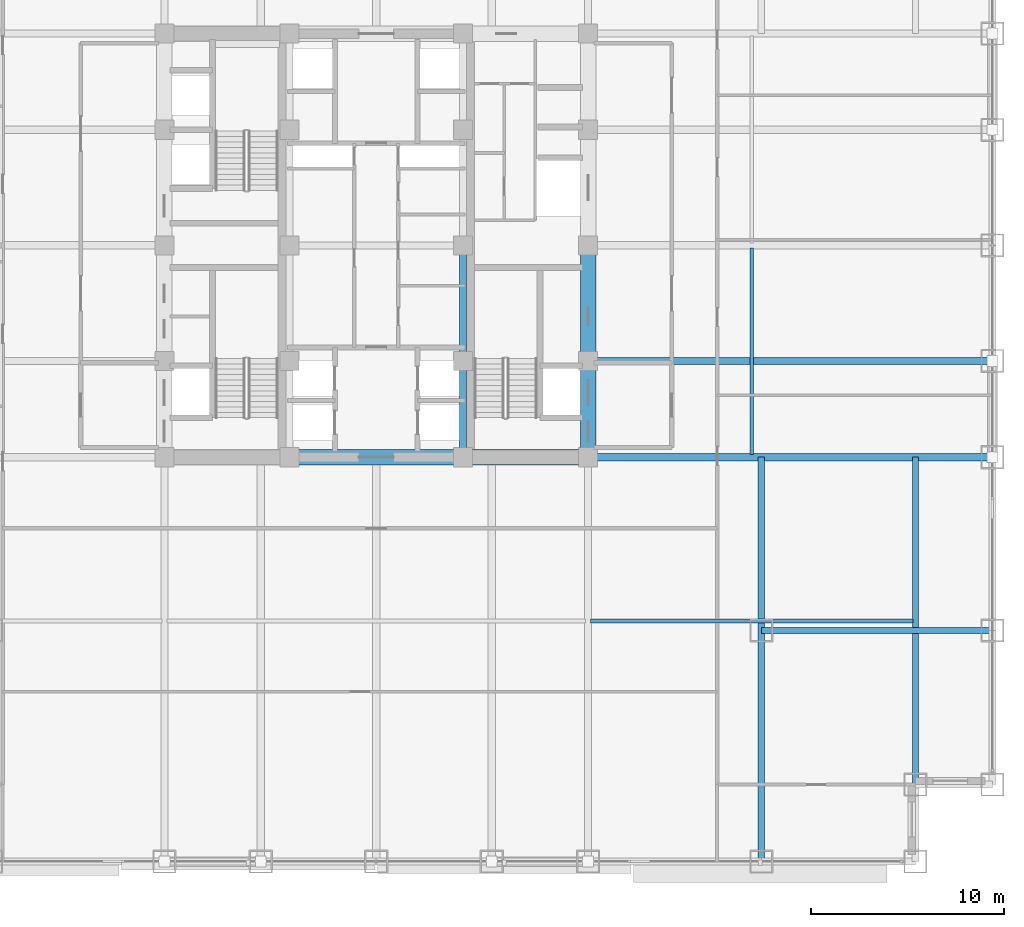
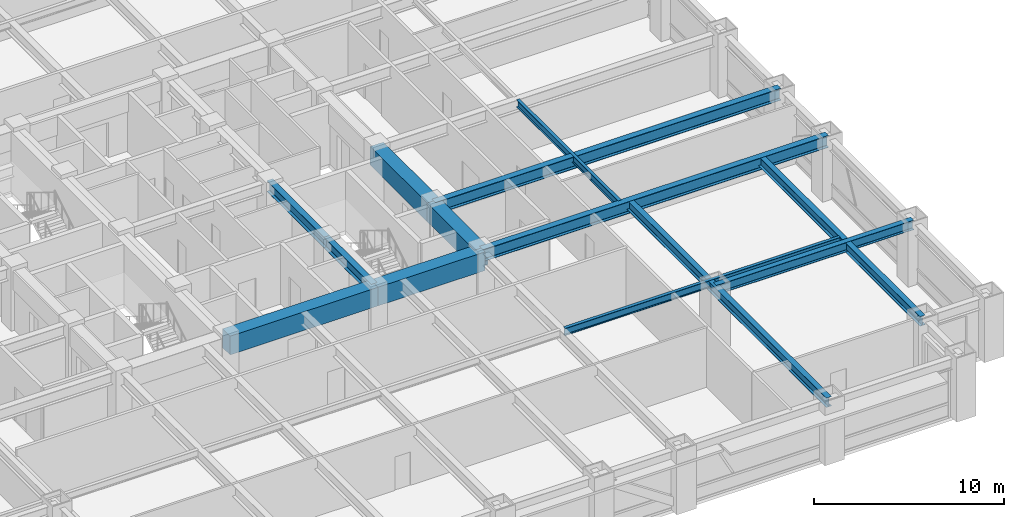
# One storey, part 7 of 32: 13 beams.
"""IFC4 building model written with IfcOpenShell, lengths in metres."""

import ifcopenshell
import ifcopenshell.guid

model = None  # the IFC model being written
_history = None  # IfcOwnerHistory: only IFC2X3 demands one
_inside = {}  # id of a spatial element -> (the spatial element, [elements in it])
_under = {}  # id of a project, library or spatial element -> (it, [spatial elements below it])
_declared = {}  # id of a project -> (the project, [libraries it declares])
_typed = {}  # id of a type object -> (the type object, [elements of that type])
_made_of = {}  # id of a material, layer set ... -> (it, [elements and type objects made of it])


def new_model(schema):
    """Start an empty IFC model of exactly this schema.

    Asked for "IFC4X3", IfcOpenShell would pick the latest addendum, in which some entities
    have other attributes; the version numbers below select the first issue.
    IFC2X3 requires an IfcOwnerHistory on every rooted entity: one is made here for all.
    """
    global model, _history
    if schema == "IFC4X3":
        model = ifcopenshell.file(schema_version=(4, 3, 0, 0))
    else:
        model = ifcopenshell.file(schema=schema)
    _inside.clear()
    _under.clear()
    _declared.clear()
    _typed.clear()
    _made_of.clear()
    _history = None
    if model.schema == "IFC2X3":
        org = make("IfcOrganization", Name="unknown")
        user = make(
            "IfcPersonAndOrganization",
            ThePerson=make("IfcPerson", FamilyName="unknown"),
            TheOrganization=org,
        )
        app = make(
            "IfcApplication",
            ApplicationDeveloper=org,
            Version="unknown",
            ApplicationFullName="unknown",
            ApplicationIdentifier="unknown",
        )
        _history = make(
            "IfcOwnerHistory",
            OwningUser=user,
            OwningApplication=app,
            ChangeAction="ADDED",
            CreationDate=0,
        )
    return model


def make(cls, **values):
    """One entity of the class cls with the attributes given. An attribute that is None is left unset."""
    return model.create_entity(
        cls, **{name: value for name, value in values.items() if value is not None}
    )


def rooted(cls, **values):
    """An entity with a GlobalId (a new one), such as an element, a storey or a relation."""
    return make(cls, GlobalId=ifcopenshell.guid.new(), OwnerHistory=_history, **values)


def si_unit(unit_type, name, prefix=None):
    """IfcSIUnit, for example si_unit("LENGTHUNIT", "METRE", prefix="MILLI")."""
    return make("IfcSIUnit", UnitType=unit_type, Prefix=prefix, Name=name)


def assignment(units):
    """IfcUnitAssignment: the units of a project."""
    return None if units is None else make("IfcUnitAssignment", Units=units)


def point(xyz):
    """IfcCartesianPoint."""
    return None if xyz is None else make("IfcCartesianPoint", Coordinates=xyz)


def direction(xyz):
    """IfcDirection."""
    return None if xyz is None else make("IfcDirection", DirectionRatios=xyz)


def frame(location, z_axis=None, x_axis=None):
    """IfcAxis2Placement3D, a coordinate frame: its origin and axes. An axis left out is left unset."""
    return make(
        "IfcAxis2Placement3D",
        Location=point(location),
        Axis=direction(z_axis),
        RefDirection=direction(x_axis),
    )


def frame_2d(location, x_axis=None):
    """IfcAxis2Placement2D, a coordinate frame in the plane: its origin and x axis."""
    return make(
        "IfcAxis2Placement2D", Location=point(location), RefDirection=direction(x_axis)
    )


def origin():
    """The frame at (0, 0, 0) with its axes left unset."""
    return frame((0.0, 0.0, 0.0))


def origin_2d():
    """The frame at (0, 0) in the plane with its x axis left unset."""
    return frame_2d((0.0, 0.0))


def place(relative_to, where):
    """IfcLocalPlacement: puts the frame where relative to a parent placement (None: the world)."""
    return make(
        "IfcLocalPlacement", PlacementRelTo=relative_to, RelativePlacement=where
    )


def context(
    kind, dimensions, precision=None, world=None, true_north=None, identifier=None
):
    """IfcGeometricRepresentationContext, for example the 3D "Model" context."""
    return make(
        "IfcGeometricRepresentationContext",
        ContextIdentifier=identifier,
        ContextType=kind,
        CoordinateSpaceDimension=dimensions,
        Precision=precision,
        WorldCoordinateSystem=world,
        TrueNorth=true_north,
    )


def subcontext(parent, identifier, kind, view, scale=None):
    """IfcGeometricRepresentationSubContext, for example "Body" below "Model"."""
    return make(
        "IfcGeometricRepresentationSubContext",
        ContextIdentifier=identifier,
        ContextType=kind,
        ParentContext=parent,
        TargetScale=scale,
        TargetView=view,
    )


def project(units=None, contexts=None):
    """IfcProject with its units and contexts."""
    return rooted(
        "IfcProject",
        Name="project",
        RepresentationContexts=contexts,
        UnitsInContext=assignment(units),
    )


def spatial(cls, under=None, at=None, **own):
    """A site, building, storey or space (cls), placed at a placement, below another one or the project."""
    s = rooted(cls, ObjectPlacement=at, **own)
    if under is not None:
        _under.setdefault(under.id(), (under, []))[1].append(s)
    return s


def profile(cls, at=None, kind="AREA", **sizes):
    """A parametric profile (cls). Its sizes go by their IFC names, for example OverallWidth=200.0."""
    return make(cls, ProfileType=kind, Position=at, **sizes)


def rectangle(**sizes):
    """IfcRectangleProfileDef."""
    return profile("IfcRectangleProfileDef", **sizes)


def i_section(**sizes):
    """IfcIShapeProfileDef."""
    return profile("IfcIShapeProfileDef", **sizes)


def extrude(swept, where, along, depth):
    """IfcExtrudedAreaSolid: the profile swept, set in the frame where, extruded along a direction by depth."""
    return make(
        "IfcExtrudedAreaSolid",
        SweptArea=swept,
        Position=where,
        ExtrudedDirection=direction(along),
        Depth=depth,
    )


def shape(context_of_items, identifier, shape_type, items):
    """IfcShapeRepresentation: the items that make up one representation, for example the "Body"."""
    return make(
        "IfcShapeRepresentation",
        ContextOfItems=context_of_items,
        RepresentationIdentifier=identifier,
        RepresentationType=shape_type,
        Items=items,
    )


def source(mapping_origin, context_of_items, identifier, shape_type, items):
    """IfcRepresentationMap: a shape defined once, which mapped items show again and again."""
    return make(
        "IfcRepresentationMap",
        MappingOrigin=mapping_origin,
        MappedRepresentation=shape(context_of_items, identifier, shape_type, items),
    )


def transform(
    local_origin,
    x_axis=None,
    y_axis=None,
    z_axis=None,
    scale=None,
    scale2=None,
    scale3=None,
    uniform=True,
):
    """IfcCartesianTransformationOperator3D, or its non-uniform kind. x_axis, y_axis, z_axis: its Axis1, 2, 3."""
    if uniform:
        return make(
            "IfcCartesianTransformationOperator3D",
            Axis1=direction(x_axis),
            Axis2=direction(y_axis),
            LocalOrigin=point(local_origin),
            Scale=scale,
            Axis3=direction(z_axis),
        )
    return make(
        "IfcCartesianTransformationOperator3DnonUniform",
        Axis1=direction(x_axis),
        Axis2=direction(y_axis),
        LocalOrigin=point(local_origin),
        Scale=scale,
        Axis3=direction(z_axis),
        Scale2=scale2,
        Scale3=scale3,
    )


def mapped(mapping_source, mapping_target):
    """IfcMappedItem: shows the shape of a source again, moved by a transform."""
    return make(
        "IfcMappedItem", MappingSource=mapping_source, MappingTarget=mapping_target
    )


def material(Name=None, Category=None):
    """IfcMaterial."""
    return make("IfcMaterial", Name=Name, Category=Category)


def material_profile(
    of_material, cross_section, Name=None, Category=None, Priority=None
):
    """IfcMaterialProfile: a cross section and its material."""
    return make(
        "IfcMaterialProfile",
        Name=Name,
        Material=of_material,
        Profile=cross_section,
        Priority=Priority,
        Category=Category,
    )


def profile_set(profiles, Name=None, composite=None):
    """IfcMaterialProfileSet."""
    return make(
        "IfcMaterialProfileSet",
        Name=Name,
        MaterialProfiles=profiles,
        CompositeProfile=composite,
    )


def made_of(thing, what):
    """Note that an element or type object is made of a material, layer set ...; save() writes the relation."""
    if what is not None:
        _made_of.setdefault(what.id(), (what, []))[1].append(thing)
    return thing


def type_object(cls, material=None, **own):
    """A type object (cls), such as IfcWallType, which elements share."""
    return made_of(rooted(cls, **own), material)


def element(
    cls,
    number,
    at=None,
    inside=None,
    cuts=None,
    type_object=None,
    material=None,
    context=None,
    identifier="Body",
    shape_type=None,
    held_by="IfcProductDefinitionShape",
    body=None,
    shapes=None,
    **own,
):
    """One element of the class cls, such as IfcWall. Its Tag is "e" and its number.

    at: its placement. inside: the storey or other place that contains it. cuts: it is an
    opening in that element (IfcRelVoidsElement). A single representation is given by context,
    identifier, shape_type and body (its items); several are given by shapes. held_by: the class
    of the entity that holds the representations. save() writes the other relations.
    """
    e = rooted(cls, Tag="e%d" % number, ObjectPlacement=at, **own)
    if body is not None:
        shapes = [shape(context, identifier, shape_type, body)]
    if shapes is not None:
        e.Representation = make(held_by, Representations=shapes)
    if inside is not None:
        _inside.setdefault(inside.id(), (inside, []))[1].append(e)
    if cuts is not None:
        rooted(
            "IfcRelVoidsElement", RelatingBuildingElement=cuts, RelatedOpeningElement=e
        )
    if type_object is not None:
        _typed.setdefault(type_object.id(), (type_object, []))[1].append(e)
    return made_of(e, material)


def aggregate(whole, parts):
    """IfcRelAggregates: a whole, such as a stair, and the parts it consists of."""
    return rooted("IfcRelAggregates", RelatingObject=whole, RelatedObjects=parts)


def save(model, path):
    """Write the relations noted so far, then the file.

    IfcRelAggregates (storeys below a building ...), IfcRelContainedInSpatialStructure (elements
    in a storey), IfcRelDefinesByType, IfcRelAssociatesMaterial and IfcRelDeclares: one each for
    every whole, place, type object, material and project.
    """
    for whole, parts in _under.values():
        aggregate(whole, parts)
    for where, things in _inside.values():
        rooted(
            "IfcRelContainedInSpatialStructure",
            RelatedElements=things,
            RelatingStructure=where,
        )
    for kind, things in _typed.values():
        rooted("IfcRelDefinesByType", RelatedObjects=things, RelatingType=kind)
    for what, things in _made_of.values():
        rooted("IfcRelAssociatesMaterial", RelatedObjects=things, RelatingMaterial=what)
    for by, libraries in _declared.values():
        rooted("IfcRelDeclares", RelatingContext=by, RelatedDefinitions=libraries)
    model.write(path)


model = new_model("IFC4")

# Units and contexts
model_context = context("Model", 3, precision=1e-05, world=origin(), true_north=direction((0.0, 1.0)))
body_context = subcontext(model_context, "Body", "Model", "MODEL_VIEW")
ifc_project = project(units=[si_unit("LENGTHUNIT", "METRE"), si_unit("AREAUNIT", "SQUARE_METRE"), si_unit("VOLUMEUNIT", "CUBIC_METRE"), si_unit("PLANEANGLEUNIT", "RADIAN"), si_unit("MASSUNIT", "GRAM", prefix="KILO")], contexts=[model_context])

# Site, building, storey
site_placement = place(None, origin())
site = spatial("IfcSite", under=ifc_project, at=site_placement, CompositionType="ELEMENT")
building_placement = place(site_placement, origin())
building = spatial("IfcBuilding", under=site, at=building_placement, Name="Khorayat Bourse Tower", CompositionType="ELEMENT")
storey_placement = place(building_placement, frame((0.0, 0.0, 91.39990234375)))
storey = spatial("IfcBuildingStorey", under=building, at=storey_placement, Name="L20", CompositionType="ELEMENT", Elevation=91.39990234375)

# Beams
ifc_material_1 = material(Name="Concrete C72/90", Category="concrete")
ifc_material_profile_1 = material_profile(ifc_material_1, rectangle(XDim=0.800048828125, YDim=1.199951171875, at=origin_2d()), Name="RC 800x1200")
ifc_profile_set_1 = profile_set([ifc_material_profile_1], Name="Concrete C72/90")
beam_type_1 = type_object("IfcBeamType", Name="BM-COUP-1200", PredefinedType="BEAM", material=ifc_profile_set_1)
shared_shape_1 = source(origin(), body_context, "Body", "SweptSolid", [
    extrude(rectangle(XDim=0.800048828125, YDim=1.199951171875, at=origin_2d()), origin(), (0.0, 0.0, 1.0), 5.0),
])
beam_1_placement = place(storey_placement, frame((11.0, -11.0, 3.239990234375), z_axis=(0.0, 1.0, 0.0), x_axis=(-1.0, 0.0, 0.0)))
element("IfcBeam", 1, at=beam_1_placement, inside=storey, type_object=beam_type_1, Name="L20 BM-COUP-1200 BM-L20-CRX-13", PredefinedType="BEAM", context=body_context, shape_type="MappedRepresentation", body=[
    mapped(shared_shape_1, transform((0.0, 0.0, 0.0), scale=1.0)),
])
shared_shape_2 = source(origin(), body_context, "Body", "SweptSolid", [
    extrude(rectangle(XDim=0.800048828125, YDim=1.199951171875, at=origin_2d()), origin(), (0.0, 0.0, 1.0), 6.0),
])
beam_2_placement = place(storey_placement, frame((11.0, -6.0, 3.239990234375), z_axis=(0.0, 1.0, 0.0), x_axis=(-1.0, 0.0, 0.0)))
element("IfcBeam", 2, at=beam_2_placement, inside=storey, type_object=beam_type_1, Name="L20 BM-COUP-1200 BM-L20-CRX-14", PredefinedType="BEAM", context=body_context, shape_type="MappedRepresentation", body=[
    mapped(shared_shape_2, transform((0.0, 0.0, 0.0), scale=1.0)),
])
ifc_material_2 = material(Name="Steel ASTM A992 Grade 50", Category="steel")
ifc_material_profile_2 = material_profile(ifc_material_2, i_section(OverallWidth=0.35498046875, OverallDepth=0.695068359375, WebThickness=0.015380859375, FlangeThickness=0.02490234375, FilletRadius=0.01806640625, at=origin_2d()), Name="W690X217")
ifc_profile_set_2 = profile_set([ifc_material_profile_2], Name="Steel ASTM A992 Grade 50")
beam_type_2 = type_object("IfcBeamType", Name="BM-GIRD-690", PredefinedType="BEAM", material=ifc_profile_set_2)
shared_shape_3 = source(origin(), body_context, "Body", "SweptSolid", [
    extrude(i_section(OverallWidth=0.35498046875, OverallDepth=0.695068359375, WebThickness=0.015380859375, FlangeThickness=0.02490234375, FilletRadius=0.01806640625, at=origin_2d()), origin(), (0.0, 0.0, 1.0), 5.0),
])
beam_3_placement = place(storey_placement, frame((4.5, -11.0, 3.49267578125), z_axis=(0.0, 1.0, 0.0), x_axis=(-1.0, 0.0, 0.0)))
element("IfcBeam", 3, at=beam_3_placement, inside=storey, type_object=beam_type_2, Name="L20 BM-GIRD-690 BM-L20-CRX-09", PredefinedType="BEAM", context=body_context, shape_type="MappedRepresentation", body=[
    mapped(shared_shape_3, transform((0.0, 0.0, 0.0), scale=1.0)),
])
shared_shape_4 = source(origin(), body_context, "Body", "SweptSolid", [
    extrude(i_section(OverallWidth=0.35498046875, OverallDepth=0.695068359375, WebThickness=0.015380859375, FlangeThickness=0.02490234375, FilletRadius=0.01806640625, at=origin_2d()), origin(), (0.0, 0.0, 1.0), 6.0),
])
beam_4_placement = place(storey_placement, frame((4.5, -6.0, 3.49267578125), z_axis=(0.0, 1.0, 0.0), x_axis=(-1.0, 0.0, 0.0)))
element("IfcBeam", 4, at=beam_4_placement, inside=storey, type_object=beam_type_2, Name="L20 BM-GIRD-690 BM-L20-CRX-10", PredefinedType="BEAM", context=body_context, shape_type="MappedRepresentation", body=[
    mapped(shared_shape_4, transform((0.0, 0.0, 0.0), scale=1.0)),
])
shared_shape_5 = source(origin(), body_context, "Body", "SweptSolid", [
    extrude(rectangle(XDim=0.800048828125, YDim=1.199951171875, at=origin_2d()), origin(), (0.0, 0.0, 1.0), 6.5),
])
beam_5_placement = place(storey_placement, frame((4.5, -11.0, 3.239990234375), z_axis=(1.0, 0.0, 0.0), x_axis=(0.0, 1.0, 0.0)))
element("IfcBeam", 5, at=beam_5_placement, inside=storey, type_object=beam_type_1, Name="L20 BM-COUP-1200 BM-L20-CRY-19", PredefinedType="BEAM", context=body_context, shape_type="MappedRepresentation", body=[
    mapped(shared_shape_5, transform((0.0, 0.0, 0.0), scale=1.0)),
])
shared_shape_6 = source(origin(), body_context, "Body", "SweptSolid", [
    extrude(rectangle(XDim=0.800048828125, YDim=1.199951171875, at=origin_2d()), origin(), (0.0, 0.0, 1.0), 9.0),
])
beam_6_placement = place(storey_placement, frame((-4.5, -11.0, 3.239990234375), z_axis=(1.0, 0.0, 0.0), x_axis=(0.0, 1.0, 0.0)))
element("IfcBeam", 6, at=beam_6_placement, inside=storey, type_object=beam_type_1, Name="L20 BM-COUP-1200 BM-L20-CRY-18", PredefinedType="BEAM", context=body_context, shape_type="MappedRepresentation", body=[
    mapped(shared_shape_6, transform((0.0, 0.0, 0.0), scale=1.0)),
])
ifc_material_profile_3 = material_profile(ifc_material_2, i_section(OverallWidth=0.324951171875, OverallDepth=0.615966796875, WebThickness=0.013916015625, FlangeThickness=0.021484375, FilletRadius=0.01611328125, at=origin_2d()), Name="W610X174")
ifc_profile_set_3 = profile_set([ifc_material_profile_3], Name="Steel ASTM A992 Grade 50")
beam_type_3 = type_object("IfcBeamType", Name="BM-GIRD-610", PredefinedType="BEAM", material=ifc_profile_set_3)
shared_shape_7 = source(origin(), body_context, "Body", "SweptSolid", [
    extrude(i_section(OverallWidth=0.324951171875, OverallDepth=0.615966796875, WebThickness=0.013916015625, FlangeThickness=0.021484375, FilletRadius=0.01611328125, at=origin_2d()), origin(), (0.0, 0.0, 1.0), 21.0),
])
beam_7_placement = place(storey_placement, frame((20.0, -32.0, 3.531982421875), z_axis=(0.0, 1.0, 0.0), x_axis=(-1.0, 0.0, 0.0)))
element("IfcBeam", 7, at=beam_7_placement, inside=storey, type_object=beam_type_3, Name="L20 BM-GIRD-610 BM-L20-CNRY-086", PredefinedType="BEAM", context=body_context, shape_type="MappedRepresentation", body=[
    mapped(shared_shape_7, transform((0.0, 0.0, 0.0), scale=1.0)),
])
shared_shape_8 = source(origin(), body_context, "Body", "SweptSolid", [
    extrude(i_section(OverallWidth=0.324951171875, OverallDepth=0.615966796875, WebThickness=0.013916015625, FlangeThickness=0.021484375, FilletRadius=0.01611328125, at=origin_2d()), origin(), (0.0, 0.0, 1.0), 12.0),
])
beam_8_placement = place(storey_placement, frame((20.0, -20.0, 3.531982421875), z_axis=(1.0, 0.0, 0.0), x_axis=(0.0, 1.0, 0.0)))
element("IfcBeam", 8, at=beam_8_placement, inside=storey, type_object=beam_type_3, Name="L20 BM-GIRD-610 BM-L20-CNRX-092", PredefinedType="BEAM", context=body_context, shape_type="MappedRepresentation", body=[
    mapped(shared_shape_8, transform((0.0, 0.0, 0.0), scale=1.0)),
])
ifc_material_profile_4 = material_profile(ifc_material_2, i_section(OverallWidth=0.194091796875, OverallDepth=0.468994140625, WebThickness=0.0126953125, FlangeThickness=0.0205078125, FilletRadius=0.012939453125, at=origin_2d()), Name="W460X106")
ifc_profile_set_4 = profile_set([ifc_material_profile_4], Name="Steel ASTM A992 Grade 50")
beam_type_4 = type_object("IfcBeamType", Name="BM-JOIST-460", PredefinedType="JOIST", material=ifc_profile_set_4)
shared_shape_9 = source(origin(), body_context, "Body", "SweptSolid", [
    extrude(i_section(OverallWidth=0.194091796875, OverallDepth=0.468994140625, WebThickness=0.0126953125, FlangeThickness=0.0205078125, FilletRadius=0.012939453125, at=origin_2d()), origin(), (0.0, 0.0, 1.0), 10.740234375),
])
beam_9_placement = place(storey_placement, frame((19.5, -10.8701171875, 3.605712890625), z_axis=(0.0, 1.0, 0.0), x_axis=(-1.0, 0.0, 0.0)))
element("IfcBeam", 9, at=beam_9_placement, inside=storey, type_object=beam_type_4, Name="L20 BM-JOIST-460 BM-L20-JSTY-104", PredefinedType="JOIST", context=body_context, shape_type="MappedRepresentation", body=[
    mapped(shared_shape_9, transform((0.0, 0.0, 0.0), scale=1.0)),
])
ifc_material_profile_5 = material_profile(ifc_material_2, i_section(OverallWidth=0.381103515625, OverallDepth=0.77294921875, WebThickness=0.0166015625, FlangeThickness=0.027587890625, FilletRadius=0.01806640625, at=origin_2d()), Name="W760X257")
ifc_profile_set_5 = profile_set([ifc_material_profile_5], Name="Steel ASTM A992 Grade 50")
beam_type_5 = type_object("IfcBeamType", Name="BM-GIRD-760", PredefinedType="BEAM", material=ifc_profile_set_5)
shared_shape_10 = source(origin(), body_context, "Body", "SweptSolid", [
    extrude(i_section(OverallWidth=0.381103515625, OverallDepth=0.77294921875, WebThickness=0.0166015625, FlangeThickness=0.027587890625, FilletRadius=0.01806640625, at=origin_2d()), origin(), (0.0, 0.0, 1.0), 21.0),
])
for number, where, z_axis, x_axis, name in (
    (10, (11.0, -11.0, 3.45361328125), (1.0, 0.0, 0.0), (0.0, 1.0, 0.0), "L20 BM-GIRD-760 BM-L20-RADX-074"),
    (11, (11.0, -6.0, 3.45361328125), (1.0, 0.0, 0.0), (0.0, 1.0, 0.0), "L20 BM-GIRD-760 BM-L20-RADX-076"),
):
    element("IfcBeam", number, at=place(storey_placement, frame(where, z_axis=z_axis, x_axis=x_axis)), inside=storey, type_object=beam_type_5, Name=name, PredefinedType="BEAM", context=body_context, shape_type="MappedRepresentation", body=[
        mapped(shared_shape_10, transform((0.0, 0.0, 0.0), scale=1.0)),
    ])
shared_shape_11 = source(origin(), body_context, "Body", "SweptSolid", [
    extrude(i_section(OverallWidth=0.324951171875, OverallDepth=0.615966796875, WebThickness=0.013916015625, FlangeThickness=0.021484375, FilletRadius=0.01611328125, at=origin_2d()), origin(), (0.0, 0.0, 1.0), 17.0),
])
beam_10_placement = place(storey_placement, frame((28.0, -28.0, 3.531982421875), z_axis=(0.0, 1.0, 0.0), x_axis=(-1.0, 0.0, 0.0)))
element("IfcBeam", 12, at=beam_10_placement, inside=storey, type_object=beam_type_3, Name="L20 BM-GIRD-610 BM-L20-CNRY-090", PredefinedType="BEAM", context=body_context, shape_type="MappedRepresentation", body=[
    mapped(shared_shape_11, transform((0.0, 0.0, 0.0), scale=1.0)),
])
shared_shape_12 = source(origin(), body_context, "Body", "SweptSolid", [
    extrude(i_section(OverallWidth=0.194091796875, OverallDepth=0.468994140625, WebThickness=0.0126953125, FlangeThickness=0.0205078125, FilletRadius=0.012939453125, at=origin_2d()), origin(), (0.0, 0.0, 1.0), 16.740234375),
])
beam_11_placement = place(storey_placement, frame((11.1298828125, -19.5, 3.605712890625), z_axis=(1.0, 0.0, 0.0), x_axis=(0.0, 1.0, 0.0)))
element("IfcBeam", 13, at=beam_11_placement, inside=storey, type_object=beam_type_4, Name="L20 BM-JOIST-460 BM-L20-JSTX-098", PredefinedType="JOIST", context=body_context, shape_type="MappedRepresentation", body=[
    mapped(shared_shape_12, transform((0.0, 0.0, 0.0), scale=1.0)),
])

save(model, "model.ifc")
